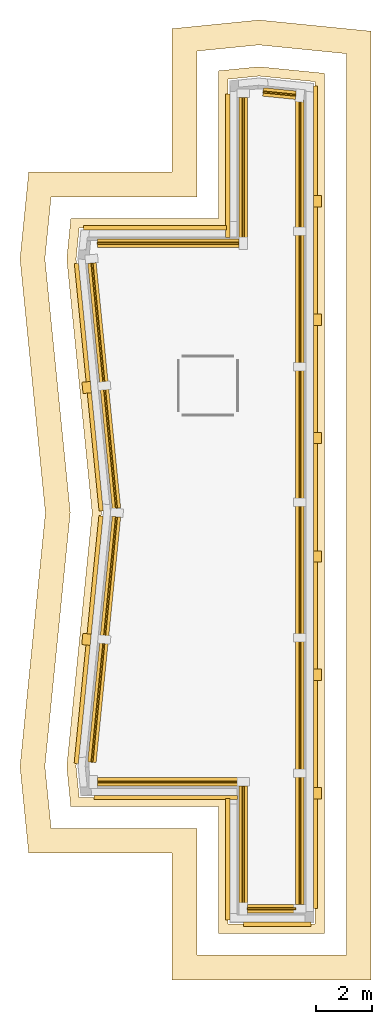
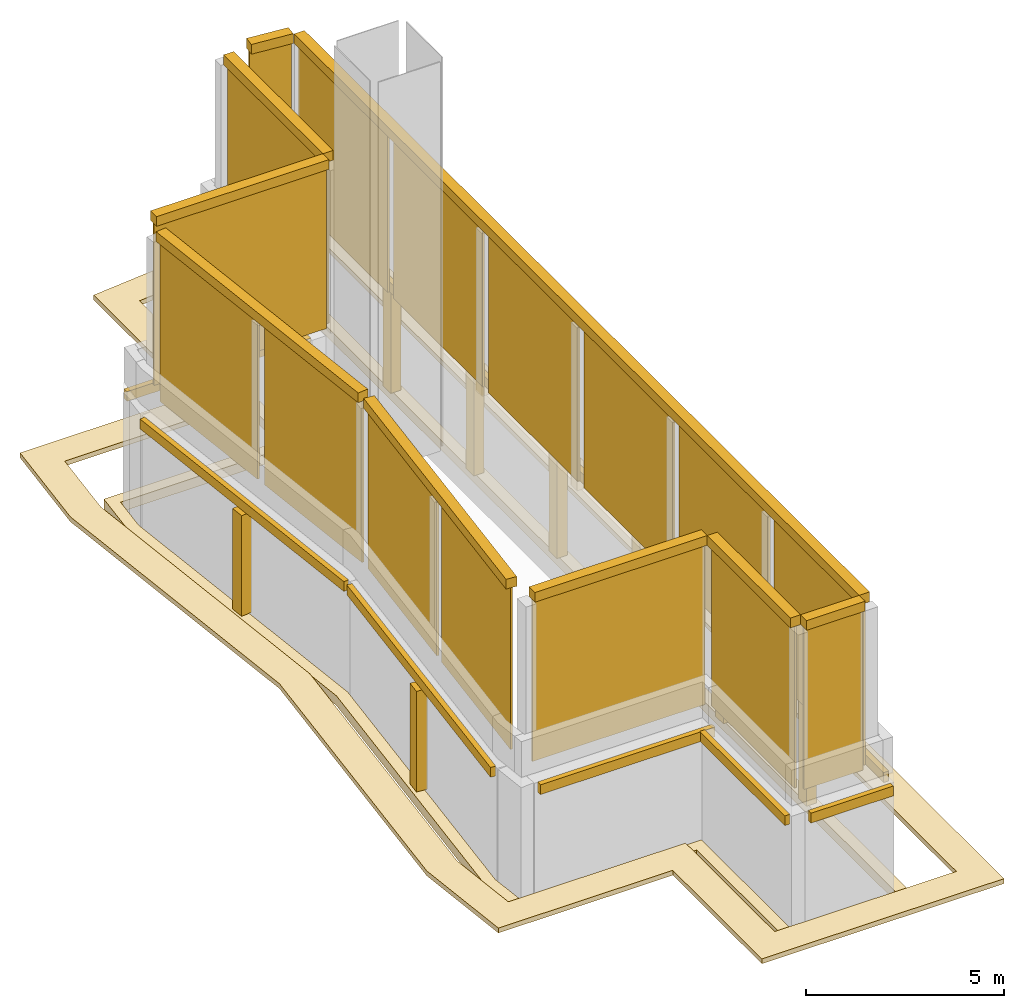
# One storey, part 2 of 2: 43 coverings.
"""IFC4 building model written with IfcOpenShell, lengths in metres."""

from ifc_helpers import new_model, si_unit, direction, frame, origin, origin_2d, place, context, subcontext, project, spatial, polyline, rectangle, outline, extrude, material, layer, layer_set, material_profile, profile_set, type_object, element, save


model = new_model("IFC4")

# Units and contexts
model_context = context("Model", 3, precision=1e-05, world=origin(), true_north=direction((0.0, 1.0)))
body_context = subcontext(model_context, "Body", "Model", "MODEL_VIEW")
ifc_project = project(units=[si_unit("LENGTHUNIT", "METRE"), si_unit("AREAUNIT", "SQUARE_METRE"), si_unit("VOLUMEUNIT", "CUBIC_METRE"), si_unit("PLANEANGLEUNIT", "RADIAN"), si_unit("MASSUNIT", "GRAM", prefix="KILO")], contexts=[model_context])

# Site, building, storey
site_placement = place(None, origin())
site = spatial("IfcSite", under=ifc_project, at=site_placement, CompositionType="ELEMENT")
building_placement = place(site_placement, origin())
building = spatial("IfcBuilding", under=site, at=building_placement, Name="Brondeck Convention Tower", CompositionType="ELEMENT")
storey_placement = place(building_placement, frame((0.0, 0.0, 319.5)))
storey = spatial("IfcBuildingStorey", under=building, at=storey_placement, Name="ROOF 3", CompositionType="ELEMENT", Elevation=319.5)

# Coverings
ifc_material_1 = material(Name="Precast concrete C50/60", Category="concrete")
ifc_material_profile = material_profile(ifc_material_1, rectangle(XDim=0.300048828125, YDim=0.300048828125, at=origin_2d()), Name="Crown cap 300 x 300 Precast concrete C50/60")
ifc_profile_set = profile_set([ifc_material_profile], Name="Precast concrete C50/60")
covering_type_1 = type_object("IfcCoveringType", Name="Crown cap 300 x 300 Precast concrete C50/60", PredefinedType="MOLDING", material=ifc_profile_set)
covering_1_placement = place(storey_placement, frame((8.594970703125, 30.945068359375, 9.14990234375), z_axis=(1.0, 0.0, 0.0), x_axis=(0.0, 1.0, 0.0)))
element("IfcCovering", 1, at=covering_1_placement, inside=storey, type_object=covering_type_1, Name="ENV-CB-K1-T3-00", PredefinedType="MOLDING", context=body_context, shape_type="SweptSolid", body=[
    extrude(rectangle(XDim=0.300048828125, YDim=0.300048828125, at=origin_2d()), origin(), (0.0, 0.0, 1.0), 1.7099609375),
])
covering_2_placement = place(storey_placement, frame((10.455078125, 31.094970703125, 9.14990234375), z_axis=(0.0, 1.0, 0.0), x_axis=(-1.0, 0.0, 0.0)))
element("IfcCovering", 2, at=covering_2_placement, inside=storey, type_object=covering_type_1, Name="ENV-CB-K1-T3-01", PredefinedType="MOLDING", context=body_context, shape_type="SweptSolid", body=[
    extrude(rectangle(XDim=0.300048828125, YDim=0.300048828125, at=origin_2d()), origin(), (0.0, 0.0, 1.0), 28.544921875),
])
covering_3_placement = place(storey_placement, frame((10.3056640625, 59.8046875, 9.14990234375), z_axis=(-0.995028865978, 0.099586926198, 0.0), x_axis=(-0.099586926198, -0.995028865978, 0.0)))
element("IfcCovering", 3, at=covering_3_placement, inside=storey, type_object=covering_type_1, Name="ENV-CB-K1-T3-02", PredefinedType="MOLDING", context=body_context, shape_type="SweptSolid", body=[
    extrude(rectangle(XDim=0.300048828125, YDim=0.300048828125, at=origin_2d()), origin(), (0.0, 0.0, 1.0), 1.162109375),
])
for number, where, z_axis, x_axis, name in (
    (4, (8.445068359375, 59.729736328125, 9.14990234375), (0.0, -1.0, 0.0), (1.0, 0.0, 0.0), "ENV-CB-K1-T3-04"),
    (5, (8.294921875, 54.554931640625, 9.14990234375), (-1.0, 0.0, 0.0), (0.0, -1.0, 0.0), "ENV-CB-K1-T3-05"),
):
    element("IfcCovering", number, at=place(storey_placement, frame(where, z_axis=z_axis, x_axis=x_axis)), inside=storey, type_object=covering_type_1, Name=name, PredefinedType="MOLDING", context=body_context, shape_type="SweptSolid", body=[
        extrude(rectangle(XDim=0.300048828125, YDim=0.300048828125, at=origin_2d()), origin(), (0.0, 0.0, 1.0), 5.024658203125),
    ])
for number, where, z_axis, x_axis, name in (
    (6, (3.07958984375, 53.8505859375, 9.14990234375), (0.099503719021, -0.99503719021, 0.0), (0.99503719021, 0.099503719021, 0.0), "ENV-CB-K1-T3-07"),
    (7, (3.94970703125, 44.8505859375, 9.14990234375), (-0.099503719021, -0.99503719021, 0.0), (0.99503719021, -0.099503719021, 0.0), "ENV-CB-K1-T3-08"),
):
    element("IfcCovering", number, at=place(storey_placement, frame(where, z_axis=z_axis, x_axis=x_axis)), inside=storey, type_object=covering_type_1, Name=name, PredefinedType="MOLDING", context=body_context, shape_type="SweptSolid", body=[
        extrude(rectangle(XDim=0.300048828125, YDim=0.300048828125, at=origin_2d()), origin(), (0.0, 0.0, 1.0), 8.74462890625),
    ])
covering_4_placement = place(storey_placement, frame((3.270263671875, 35.445068359375, 9.14990234375), z_axis=(1.0, 0.0, 0.0), x_axis=(0.0, 1.0, 0.0)))
element("IfcCovering", 8, at=covering_4_placement, inside=storey, type_object=covering_type_1, Name="ENV-CB-K1-T3-10", PredefinedType="MOLDING", context=body_context, shape_type="SweptSolid", body=[
    extrude(rectangle(XDim=0.300048828125, YDim=0.300048828125, at=origin_2d()), origin(), (0.0, 0.0, 1.0), 5.024658203125),
])
covering_5_placement = place(storey_placement, frame((8.445068359375, 35.294921875, 9.14990234375), z_axis=(0.0, -1.0, 0.0), x_axis=(1.0, 0.0, 0.0)))
element("IfcCovering", 9, at=covering_5_placement, inside=storey, type_object=covering_type_1, Name="ENV-CB-K1-T3-11", PredefinedType="MOLDING", context=body_context, shape_type="SweptSolid", body=[
    extrude(rectangle(XDim=0.300048828125, YDim=0.300048828125, at=origin_2d()), origin(), (0.0, 0.0, 1.0), 4.199951171875),
])
ifc_material_2 = material(Name="Aluminium, bronze anodised", Category="aluminium")
ifc_layer_1 = layer(ifc_material_2, 0.06005859375)
ifc_layer_set_1 = layer_set([ifc_layer_1], Name="Crown louvre panel, bronze anodised aluminium")
covering_type_2 = type_object("IfcCoveringType", Name="Crown louvre panel, bronze anodised aluminium", PredefinedType="CLADDING", material=ifc_layer_set_1)
covering_6_placement = place(storey_placement, frame((0.0, 0.0, 4.02001953125)))
element("IfcCovering", 10, at=covering_6_placement, inside=storey, type_object=covering_type_2, Name="ENV-CL-K1-T3-00-0", PredefinedType="CLADDING", context=body_context, shape_type="SweptSolid", body=[
    extrude(outline(polyline([(10.304931640625, 30.97509765625), (8.594970703125, 30.97509765625), (8.594970703125, 30.9150390625), (10.304931640625, 30.9150390625), (10.304931640625, 30.97509765625)])), origin(), (0.0, 0.0, 1.0), 4.97998046875),
])
covering_7_placement = place(storey_placement, frame((0.0, 0.0, 4.02001953125)))
element("IfcCovering", 11, at=covering_7_placement, inside=storey, type_object=covering_type_2, Name="ENV-CL-K1-T3-01-0", PredefinedType="CLADDING", context=body_context, shape_type="SweptSolid", body=[
    extrude(outline(polyline([(10.425048828125, 35.6025390625), (10.425048828125, 31.094970703125), (10.485107421875, 31.094970703125), (10.485107421875, 35.6025390625), (10.425048828125, 35.6025390625)])), origin(), (0.0, 0.0, 1.0), 4.97998046875),
])
covering_8_placement = place(storey_placement, frame((0.0, 0.0, 4.02001953125)))
element("IfcCovering", 12, at=covering_8_placement, inside=storey, type_object=covering_type_2, Name="ENV-CL-K1-T3-01-1", PredefinedType="CLADDING", context=body_context, shape_type="SweptSolid", body=[
    extrude(outline(polyline([(10.425048828125, 40.409912109375), (10.425048828125, 35.902587890625), (10.485107421875, 35.902587890625), (10.485107421875, 40.409912109375), (10.425048828125, 40.409912109375)])), origin(), (0.0, 0.0, 1.0), 4.97998046875),
])
covering_9_placement = place(storey_placement, frame((0.0, 0.0, 4.02001953125)))
element("IfcCovering", 13, at=covering_9_placement, inside=storey, type_object=covering_type_2, Name="ENV-CL-K1-T3-01-2", PredefinedType="CLADDING", context=body_context, shape_type="SweptSolid", body=[
    extrude(outline(polyline([(10.425048828125, 45.21728515625), (10.425048828125, 40.7099609375), (10.485107421875, 40.7099609375), (10.485107421875, 45.21728515625), (10.425048828125, 45.21728515625)])), origin(), (0.0, 0.0, 1.0), 4.97998046875),
])
covering_10_placement = place(storey_placement, frame((0.0, 0.0, 4.02001953125)))
element("IfcCovering", 14, at=covering_10_placement, inside=storey, type_object=covering_type_2, Name="ENV-CL-K1-T3-01-3", PredefinedType="CLADDING", context=body_context, shape_type="SweptSolid", body=[
    extrude(outline(polyline([(10.425048828125, 50.02490234375), (10.425048828125, 45.517333984375), (10.485107421875, 45.517333984375), (10.485107421875, 50.02490234375), (10.425048828125, 50.02490234375)])), origin(), (0.0, 0.0, 1.0), 4.97998046875),
])
covering_11_placement = place(storey_placement, frame((0.0, 0.0, 4.02001953125)))
element("IfcCovering", 15, at=covering_11_placement, inside=storey, type_object=covering_type_2, Name="ENV-CL-K1-T3-01-4", PredefinedType="CLADDING", context=body_context, shape_type="SweptSolid", body=[
    extrude(outline(polyline([(10.425048828125, 54.83251953125), (10.425048828125, 50.324951171875), (10.485107421875, 50.324951171875), (10.485107421875, 54.83251953125), (10.425048828125, 54.83251953125)])), origin(), (0.0, 0.0, 1.0), 4.97998046875),
])
covering_12_placement = place(storey_placement, frame((0.0, 0.0, 4.02001953125)))
element("IfcCovering", 16, at=covering_12_placement, inside=storey, type_object=covering_type_2, Name="ENV-CL-K1-T3-01-5", PredefinedType="CLADDING", context=body_context, shape_type="SweptSolid", body=[
    extrude(outline(polyline([(10.425048828125, 59.639892578125), (10.425048828125, 55.13232421875), (10.485107421875, 55.13232421875), (10.485107421875, 59.639892578125), (10.425048828125, 59.639892578125)])), origin(), (0.0, 0.0, 1.0), 4.97998046875),
])
covering_13_placement = place(storey_placement, frame((0.0, 0.0, 4.02001953125)))
element("IfcCovering", 17, at=covering_13_placement, inside=storey, type_object=covering_type_2, Name="ENV-CL-K1-T3-02-0", PredefinedType="CLADDING", context=body_context, shape_type="SweptSolid", body=[
    extrude(outline(polyline([(9.146240234375, 59.890380859375), (10.302734375, 59.77490234375), (10.30859375, 59.834716796875), (9.152099609375, 59.9501953125), (9.146240234375, 59.890380859375)])), origin(), (0.0, 0.0, 1.0), 4.97998046875),
])
covering_14_placement = place(storey_placement, frame((0.0, 0.0, 4.02001953125)))
element("IfcCovering", 18, at=covering_14_placement, inside=storey, type_object=covering_type_2, Name="ENV-CL-K1-T3-04-0", PredefinedType="CLADDING", context=body_context, shape_type="SweptSolid", body=[
    extrude(outline(polyline([(8.47509765625, 54.705078125), (8.47509765625, 59.729736328125), (8.4150390625, 59.729736328125), (8.4150390625, 54.705078125), (8.47509765625, 54.705078125)])), origin(), (0.0, 0.0, 1.0), 4.97998046875),
])
covering_15_placement = place(storey_placement, frame((0.0, 0.0, 4.02001953125)))
element("IfcCovering", 19, at=covering_15_placement, inside=storey, type_object=covering_type_2, Name="ENV-CL-K1-T3-05-0", PredefinedType="CLADDING", context=body_context, shape_type="SweptSolid", body=[
    extrude(outline(polyline([(3.270263671875, 54.52490234375), (8.294921875, 54.52490234375), (8.294921875, 54.5849609375), (3.270263671875, 54.5849609375), (3.270263671875, 54.52490234375)])), origin(), (0.0, 0.0, 1.0), 4.97998046875),
])
covering_16_placement = place(storey_placement, frame((0.0, 0.0, 4.02001953125)))
element("IfcCovering", 20, at=covering_16_placement, inside=storey, type_object=covering_type_2, Name="ENV-CL-K1-T3-07-0", PredefinedType="CLADDING", context=body_context, shape_type="SweptSolid", body=[
    extrude(outline(polyline([(3.529541015625, 49.652099609375), (3.109619140625, 53.853759765625), (3.0498046875, 53.847900390625), (3.469970703125, 49.646240234375), (3.529541015625, 49.652099609375)])), origin(), (0.0, 0.0, 1.0), 4.97998046875),
])
covering_17_placement = place(storey_placement, frame((0.0, 0.0, 4.02001953125)))
element("IfcCovering", 21, at=covering_17_placement, inside=storey, type_object=covering_type_2, Name="ENV-CL-K1-T3-07-1", PredefinedType="CLADDING", context=body_context, shape_type="SweptSolid", body=[
    extrude(outline(polyline([(3.9794921875, 45.152099609375), (3.5595703125, 49.353759765625), (3.499755859375, 49.347900390625), (3.919921875, 45.146240234375), (3.9794921875, 45.152099609375)])), origin(), (0.0, 0.0, 1.0), 4.97998046875),
])
covering_18_placement = place(storey_placement, frame((0.0, 0.0, 4.02001953125)))
element("IfcCovering", 22, at=covering_18_placement, inside=storey, type_object=covering_type_2, Name="ENV-CL-K1-T3-08-0", PredefinedType="CLADDING", context=body_context, shape_type="SweptSolid", body=[
    extrude(outline(polyline([(3.5595703125, 40.646240234375), (3.9794921875, 44.847900390625), (3.919921875, 44.853759765625), (3.499755859375, 40.652099609375), (3.5595703125, 40.646240234375)])), origin(), (0.0, 0.0, 1.0), 4.97998046875),
])
covering_19_placement = place(storey_placement, frame((0.0, 0.0, 4.02001953125)))
element("IfcCovering", 23, at=covering_19_placement, inside=storey, type_object=covering_type_2, Name="ENV-CL-K1-T3-08-1", PredefinedType="CLADDING", context=body_context, shape_type="SweptSolid", body=[
    extrude(outline(polyline([(3.109619140625, 36.146240234375), (3.529541015625, 40.347900390625), (3.469970703125, 40.353759765625), (3.0498046875, 36.152099609375), (3.109619140625, 36.146240234375)])), origin(), (0.0, 0.0, 1.0), 4.97998046875),
])
covering_20_placement = place(storey_placement, frame((0.0, 0.0, 4.02001953125)))
element("IfcCovering", 24, at=covering_20_placement, inside=storey, type_object=covering_type_2, Name="ENV-CL-K1-T3-10-0", PredefinedType="CLADDING", context=body_context, shape_type="SweptSolid", body=[
    extrude(outline(polyline([(8.294921875, 35.47509765625), (3.270263671875, 35.47509765625), (3.270263671875, 35.4150390625), (8.294921875, 35.4150390625), (8.294921875, 35.47509765625)])), origin(), (0.0, 0.0, 1.0), 4.97998046875),
])
covering_21_placement = place(storey_placement, frame((0.0, 0.0, 4.02001953125)))
element("IfcCovering", 25, at=covering_21_placement, inside=storey, type_object=covering_type_2, Name="ENV-CL-K1-T3-11-0", PredefinedType="CLADDING", context=body_context, shape_type="SweptSolid", body=[
    extrude(outline(polyline([(8.47509765625, 31.094970703125), (8.47509765625, 35.294921875), (8.4150390625, 35.294921875), (8.4150390625, 31.094970703125), (8.47509765625, 31.094970703125)])), origin(), (0.0, 0.0, 1.0), 4.97998046875),
])
ifc_material_3 = material(Name="Precast concrete C50/60 bronze finish", Category="concrete")
ifc_layer_2 = layer(ifc_material_3, 0.300048828125)
ifc_layer_set_2 = layer_set([ifc_layer_2], Name="Crown pilaster 400x300")
covering_type_3 = type_object("IfcCoveringType", Name="Crown pilaster 400x300", PredefinedType="CLADDING", material=ifc_layer_set_2)
covering_22_placement = place(storey_placement, frame((0.0, 0.0, 0.300048828125)))
element("IfcCovering", 26, at=covering_22_placement, inside=storey, type_object=covering_type_3, Name="ENV-CP-K1-T3-02-01", PredefinedType="CLADDING", context=body_context, shape_type="SweptSolid", body=[
    extrude(outline(polyline([(11.22998046875, 55.839599609375), (11.22998046875, 56.239501953125), (10.929931640625, 56.239501953125), (10.929931640625, 55.839599609375), (11.22998046875, 55.839599609375)])), origin(), (0.0, 0.0, 1.0), 3.099853515625),
])
covering_23_placement = place(storey_placement, frame((0.0, 0.0, 0.300048828125)))
element("IfcCovering", 27, at=covering_23_placement, inside=storey, type_object=covering_type_3, Name="ENV-CP-K1-T3-02-02", PredefinedType="CLADDING", context=body_context, shape_type="SweptSolid", body=[
    extrude(outline(polyline([(11.22998046875, 51.641357421875), (11.22998046875, 52.041259765625), (10.929931640625, 52.041259765625), (10.929931640625, 51.641357421875), (11.22998046875, 51.641357421875)])), origin(), (0.0, 0.0, 1.0), 3.099853515625),
])
covering_24_placement = place(storey_placement, frame((0.0, 0.0, 0.300048828125)))
element("IfcCovering", 28, at=covering_24_placement, inside=storey, type_object=covering_type_3, Name="ENV-CP-K1-T3-02-03", PredefinedType="CLADDING", context=body_context, shape_type="SweptSolid", body=[
    extrude(outline(polyline([(11.22998046875, 47.443115234375), (11.22998046875, 47.843017578125), (10.929931640625, 47.843017578125), (10.929931640625, 47.443115234375), (11.22998046875, 47.443115234375)])), origin(), (0.0, 0.0, 1.0), 3.099853515625),
])
covering_25_placement = place(storey_placement, frame((0.0, 0.0, 0.300048828125)))
element("IfcCovering", 29, at=covering_25_placement, inside=storey, type_object=covering_type_3, Name="ENV-CP-K1-T3-02-04", PredefinedType="CLADDING", context=body_context, shape_type="SweptSolid", body=[
    extrude(outline(polyline([(11.22998046875, 43.244873046875), (11.22998046875, 43.644775390625), (10.929931640625, 43.644775390625), (10.929931640625, 43.244873046875), (11.22998046875, 43.244873046875)])), origin(), (0.0, 0.0, 1.0), 3.099853515625),
])
covering_26_placement = place(storey_placement, frame((0.0, 0.0, 0.300048828125)))
element("IfcCovering", 30, at=covering_26_placement, inside=storey, type_object=covering_type_3, Name="ENV-CP-K1-T3-02-05", PredefinedType="CLADDING", context=body_context, shape_type="SweptSolid", body=[
    extrude(outline(polyline([(11.22998046875, 39.04638671875), (11.22998046875, 39.446533203125), (10.929931640625, 39.446533203125), (10.929931640625, 39.04638671875), (11.22998046875, 39.04638671875)])), origin(), (0.0, 0.0, 1.0), 3.099853515625),
])
covering_27_placement = place(storey_placement, frame((0.0, 0.0, 0.300048828125)))
element("IfcCovering", 31, at=covering_27_placement, inside=storey, type_object=covering_type_3, Name="ENV-CP-K1-T3-02-06", PredefinedType="CLADDING", context=body_context, shape_type="SweptSolid", body=[
    extrude(outline(polyline([(11.22998046875, 34.848388671875), (11.22998046875, 35.248291015625), (10.929931640625, 35.248291015625), (10.929931640625, 34.848388671875), (11.22998046875, 34.848388671875)])), origin(), (0.0, 0.0, 1.0), 3.099853515625),
])
covering_28_placement = place(storey_placement, frame((0.0, 0.0, 0.300048828125)))
element("IfcCovering", 32, at=covering_28_placement, inside=storey, type_object=covering_type_3, Name="ENV-CP-K1-T3-08-01", PredefinedType="CLADDING", context=body_context, shape_type="SweptSolid", body=[
    extrude(outline(polyline([(2.723876953125, 49.620361328125), (2.763671875, 49.222412109375), (3.06201171875, 49.252197265625), (3.022216796875, 49.650146484375), (2.723876953125, 49.620361328125)])), origin(), (0.0, 0.0, 1.0), 3.099853515625),
])
covering_29_placement = place(storey_placement, frame((0.0, 0.0, 0.300048828125)))
element("IfcCovering", 33, at=covering_29_placement, inside=storey, type_object=covering_type_3, Name="ENV-CP-K1-T3-09-01", PredefinedType="CLADDING", context=body_context, shape_type="SweptSolid", body=[
    extrude(outline(polyline([(2.75732421875, 40.7158203125), (2.717529296875, 40.31787109375), (3.01611328125, 40.2880859375), (3.055908203125, 40.68603515625), (2.75732421875, 40.7158203125)])), origin(), (0.0, 0.0, 1.0), 3.099853515625),
])
ifc_layer_3 = layer(ifc_material_3, 0.14990234375)
ifc_layer_set_3 = layer_set([ifc_layer_3], Name="Crown tier cornice, precast")
covering_type_4 = type_object("IfcCoveringType", Name="Crown tier cornice, precast", PredefinedType="MOLDING", material=ifc_layer_set_3)
covering_30_placement = place(storey_placement, frame((0.0, 0.0, 3.39990234375)))
element("IfcCovering", 34, at=covering_30_placement, inside=storey, type_object=covering_type_4, Name="ENV-CC-K1-T3-01", PredefinedType="MOLDING", context=body_context, shape_type="SweptSolid", body=[
    extrude(outline(polyline([(8.447998046875, 30.320068359375), (10.85009765625, 30.320068359375), (10.85009765625, 30.469970703125), (8.447998046875, 30.469970703125), (8.447998046875, 30.320068359375)])), origin(), (0.0, 0.0, 1.0), 0.300048828125),
])
covering_31_placement = place(storey_placement, frame((0.0, 0.0, 3.39990234375)))
element("IfcCovering", 35, at=covering_31_placement, inside=storey, type_object=covering_type_4, Name="ENV-CC-K1-T3-02", PredefinedType="MOLDING", context=body_context, shape_type="SweptSolid", body=[
    extrude(outline(polyline([(11.080078125, 30.949951171875), (11.080078125, 60.1376953125), (10.929931640625, 60.1376953125), (10.929931640625, 30.949951171875), (11.080078125, 30.949951171875)])), origin(), (0.0, 0.0, 1.0), 0.300048828125),
])
covering_32_placement = place(storey_placement, frame((0.0, 0.0, 3.39990234375)))
element("IfcCovering", 36, at=covering_32_placement, inside=storey, type_object=covering_type_4, Name="ENV-CC-K1-T3-05", PredefinedType="MOLDING", context=body_context, shape_type="SweptSolid", body=[
    extrude(outline(polyline([(7.820068359375, 59.8408203125), (7.820068359375, 54.75), (7.969970703125, 54.75), (7.969970703125, 59.8408203125), (7.820068359375, 59.8408203125)])), origin(), (0.0, 0.0, 1.0), 0.300048828125),
])
covering_33_placement = place(storey_placement, frame((0.0, 0.0, 3.39990234375)))
element("IfcCovering", 37, at=covering_33_placement, inside=storey, type_object=covering_type_4, Name="ENV-CC-K1-T3-06", PredefinedType="MOLDING", context=body_context, shape_type="SweptSolid", body=[
    extrude(outline(polyline([(7.85205078125, 55.179931640625), (2.772216796875, 55.179931640625), (2.772216796875, 55.030029296875), (7.85205078125, 55.030029296875), (7.85205078125, 55.179931640625)])), origin(), (0.0, 0.0, 1.0), 0.300048828125),
])
covering_34_placement = place(storey_placement, frame((0.0, 0.0, 3.39990234375)))
element("IfcCovering", 38, at=covering_34_placement, inside=storey, type_object=covering_type_4, Name="ENV-CC-K1-T3-08", PredefinedType="MOLDING", context=body_context, shape_type="SweptSolid", body=[
    extrude(outline(polyline([(2.4541015625, 53.825927734375), (3.331787109375, 45.046875), (3.481201171875, 45.061767578125), (2.603271484375, 53.8408203125), (2.4541015625, 53.825927734375)])), origin(), (0.0, 0.0, 1.0), 0.300048828125),
])
covering_35_placement = place(storey_placement, frame((0.0, 0.0, 3.39990234375)))
element("IfcCovering", 39, at=covering_35_placement, inside=storey, type_object=covering_type_4, Name="ENV-CC-K1-T3-09", PredefinedType="MOLDING", context=body_context, shape_type="SweptSolid", body=[
    extrude(outline(polyline([(3.32568359375, 44.8916015625), (2.44775390625, 36.1123046875), (2.596923828125, 36.097412109375), (3.474853515625, 44.876708984375), (3.32568359375, 44.8916015625)])), origin(), (0.0, 0.0, 1.0), 0.300048828125),
])
covering_36_placement = place(storey_placement, frame((0.0, 0.0, 3.39990234375)))
element("IfcCovering", 40, at=covering_36_placement, inside=storey, type_object=covering_type_4, Name="ENV-CC-K1-T3-11", PredefinedType="MOLDING", context=body_context, shape_type="SweptSolid", body=[
    extrude(outline(polyline([(3.1591796875, 34.820068359375), (8.25, 34.820068359375), (8.25, 34.969970703125), (3.1591796875, 34.969970703125), (3.1591796875, 34.820068359375)])), origin(), (0.0, 0.0, 1.0), 0.300048828125),
])
covering_37_placement = place(storey_placement, frame((0.0, 0.0, 3.39990234375)))
element("IfcCovering", 41, at=covering_37_placement, inside=storey, type_object=covering_type_4, Name="ENV-CC-K1-T3-12", PredefinedType="MOLDING", context=body_context, shape_type="SweptSolid", body=[
    extrude(outline(polyline([(7.820068359375, 34.85205078125), (7.820068359375, 30.550048828125), (7.969970703125, 30.550048828125), (7.969970703125, 34.85205078125), (7.820068359375, 34.85205078125)])), origin(), (0.0, 0.0, 1.0), 0.300048828125),
])
ifc_material_4 = material(Name="Bitumen membrane")
ifc_layer_4 = layer(ifc_material_4, 0.02001953125, Name="Waterproofing")
ifc_material_5 = material(Name="Mineral wool")
ifc_layer_5 = layer(ifc_material_5, 0.280029296875, Name="Insulation")
ifc_layer_set_4 = layer_set([ifc_layer_4, ifc_layer_5], Name="Roof membrane and insulation")
covering_type_5 = type_object("IfcCoveringType", Name="Roof membrane and insulation", PredefinedType="ROOFING", material=ifc_layer_set_4)
covering_38_placement = place(storey_placement, frame((0.0, 0.0, 1.10009765625)))
element("IfcCovering", 42, at=covering_38_placement, inside=storey, type_object=covering_type_5, Name="ENV-CR-K1-T1-1", PredefinedType="ROOFING", context=body_context, shape_type="SweptSolid", body=[
    extrude(outline(polyline([(5.919921875, 32.919921875), (5.919921875, 28.419921875), (12.97998046875, 28.419921875), (12.97998046875, 62.074951171875), (9.0, 62.472900390625), (5.919921875, 62.164794921875), (5.919921875, 57.080078125), (0.835205078125, 57.080078125), (0.527099609375, 54.0), (1.427001953125, 45.0), (0.527099609375, 36.0), (0.835205078125, 32.919921875), (5.919921875, 32.919921875)]), holes=[polyline([(12.10009765625, 29.300048828125), (6.800048828125, 29.300048828125), (6.800048828125, 33.800048828125), (1.631591796875, 33.800048828125), (1.41162109375, 36.0), (2.3115234375, 45.0), (1.41162109375, 54.0), (1.631591796875, 56.199951171875), (6.800048828125, 56.199951171875), (6.800048828125, 61.368408203125), (9.0, 61.58837890625), (12.10009765625, 61.278564453125), (12.10009765625, 29.300048828125)])]), origin(), (0.0, 0.0, 1.0), 0.14990234375),
])
covering_39_placement = place(storey_placement, origin())
element("IfcCovering", 43, at=covering_39_placement, inside=storey, type_object=covering_type_5, Name="ENV-CT-K1-T2-RF1", PredefinedType="ROOFING", context=body_context, shape_type="SweptSolid", body=[
    extrude(outline(polyline([(2.328369140625, 34.570068359375), (7.570068359375, 34.570068359375), (7.570068359375, 30.070068359375), (11.330078125, 30.070068359375), (11.330078125, 60.581787109375), (9.0, 60.814697265625), (7.570068359375, 60.671630859375), (7.570068359375, 55.429931640625), (2.328369140625, 55.429931640625), (2.185302734375, 54.0), (3.085205078125, 45.0), (2.185302734375, 36.0), (2.328369140625, 34.570068359375)]), holes=[polyline([(11.0, 60.282958984375), (11.0, 30.39990234375), (7.89990234375, 30.39990234375), (7.89990234375, 34.89990234375), (2.626953125, 34.89990234375), (2.51708984375, 36.0), (3.4169921875, 45.0), (2.51708984375, 54.0), (2.626953125, 55.10009765625), (7.89990234375, 55.10009765625), (7.89990234375, 60.373046875), (9.0, 60.48291015625), (11.0, 60.282958984375)])]), origin(), (0.0, 0.0, 1.0), 0.300048828125),
])

save(model, "model.ifc")
